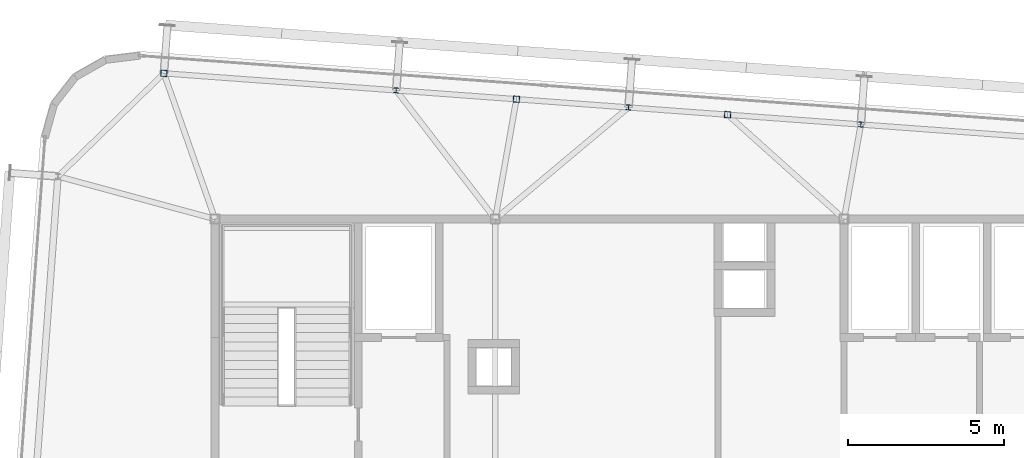
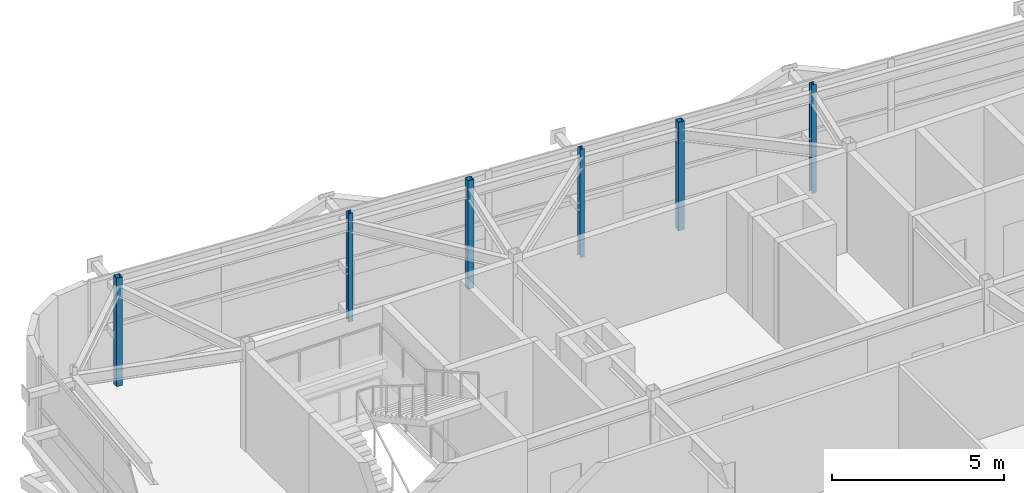
# One storey, part 7 of 35: 6 columns.
"""IFC4 building model written with IfcOpenShell, lengths in metres."""

from ifc_helpers import new_model, si_unit, direction, frame, origin, origin_2d, place, context, subcontext, project, spatial, hollow_rectangle, i_section, extrude, source, transform, mapped, material, material_profile, profile_set, type_object, element, save


model = new_model("IFC4")

# Units and contexts
model_context = context("Model", 3, precision=1e-05, world=origin(), true_north=direction((0.0, 1.0)))
body_context = subcontext(model_context, "Body", "Model", "MODEL_VIEW")
ifc_project = project(units=[si_unit("LENGTHUNIT", "METRE"), si_unit("AREAUNIT", "SQUARE_METRE"), si_unit("VOLUMEUNIT", "CUBIC_METRE"), si_unit("PLANEANGLEUNIT", "RADIAN"), si_unit("MASSUNIT", "GRAM", prefix="KILO")], contexts=[model_context])

# Site, building, storey
site_placement = place(None, origin())
site = spatial("IfcSite", under=ifc_project, at=site_placement, CompositionType="ELEMENT")
building_placement = place(site_placement, origin())
building = spatial("IfcBuilding", under=site, at=building_placement, Name="Taldren Reach Tower", CompositionType="ELEMENT")
storey_placement = place(building_placement, frame((0.0, 0.0, 249.199951171875)))
storey = spatial("IfcBuildingStorey", under=building, at=storey_placement, Name="L76", CompositionType="ELEMENT", Elevation=249.199951171875)

# Columns
ifc_material_1 = material(Name="Steel Gr 350 (C350L0)", Category="steel")
ifc_material_profile_1 = material_profile(ifc_material_1, hollow_rectangle(XDim=0.199951171875, YDim=0.199951171875, WallThickness=0.009033203125, at=origin_2d()), Name="200x200x9.0SHS")
ifc_profile_set_1 = profile_set([ifc_material_profile_1], Name="Steel Gr 350 (C350L0)")
column_type_1 = type_object("IfcColumnType", Name="COL-SHS200", PredefinedType="COLUMN", material=ifc_profile_set_1)
shared_shape_1 = source(origin(), body_context, "Body", "SweptSolid", [
    extrude(hollow_rectangle(XDim=0.199951171875, YDim=0.199951171875, WallThickness=0.009033203125, at=origin_2d()), origin(), (0.0, 0.0, 1.0), 3.85009765625),
])
for number, where, z_axis, x_axis, name in (
    (1, (17.35986328125, 36.678955078125, 0.0), (0.0, 0.0, 1.0), (0.997314477224, -0.073238197128, 0.0), "Block B5 perimeter column N1 L76"),
    (2, (28.67919921875, 35.84765625, 0.0), (0.0, 0.0, 1.0), (0.997314477224, -0.073238197128, 0.0), "Block B5 perimeter column PJN1 L76"),
    (3, (35.4609375, 35.349609375, 0.0), (0.0, 0.0, 1.0), (0.997314477224, -0.073238197128, 0.0), "Block B5 perimeter column PJN2 L76"),
):
    element("IfcColumn", number, at=place(storey_placement, frame(where, z_axis=z_axis, x_axis=x_axis)), inside=storey, type_object=column_type_1, Name=name, PredefinedType="COLUMN", context=body_context, shape_type="MappedRepresentation", body=[
        mapped(shared_shape_1, transform((0.0, 0.0, 0.0), scale=1.0)),
    ])
ifc_material_2 = material(Name="Steel Gr 350 (350PLUS)", Category="steel")
ifc_material_profile_2 = material_profile(ifc_material_2, i_section(OverallWidth=0.154052734375, OverallDepth=0.162109375, WebThickness=0.008056640625, FlangeThickness=0.011474609375, at=origin_2d()), Name="150UC37.2")
ifc_profile_set_2 = profile_set([ifc_material_profile_2], Name="Steel Gr 350 (350PLUS)")
column_type_2 = type_object("IfcColumnType", Name="COL-UC150", PredefinedType="COLUMN", material=ifc_profile_set_2)
shared_shape_2 = source(origin(), body_context, "Body", "SweptSolid", [
    extrude(i_section(OverallWidth=0.154052734375, OverallDepth=0.162109375, WebThickness=0.008056640625, FlangeThickness=0.011474609375, at=origin_2d()), origin(), (0.0, 0.0, 1.0), 3.85009765625),
])
for number, where, z_axis, x_axis, name in (
    (4, (24.819580078125, 36.131103515625, 0.0), (0.0, 0.0, 1.0), (0.997314477224, -0.073238197128, 0.0), "Block B5 perimeter column N2 L76"),
    (5, (32.279541015625, 35.583251953125, 0.0), (0.0, 0.0, 1.0), (0.997314477224, -0.073238197128, 0.0), "Block B5 perimeter column N3 L76"),
    (6, (39.739501953125, 35.035400390625, 0.0), (0.0, 0.0, 1.0), (0.997314477224, -0.073238197128, 0.0), "Block B5 perimeter column N4 L76"),
):
    element("IfcColumn", number, at=place(storey_placement, frame(where, z_axis=z_axis, x_axis=x_axis)), inside=storey, type_object=column_type_2, Name=name, PredefinedType="COLUMN", context=body_context, shape_type="MappedRepresentation", body=[
        mapped(shared_shape_2, transform((0.0, 0.0, 0.0), scale=1.0)),
    ])

save(model, "model.ifc")
